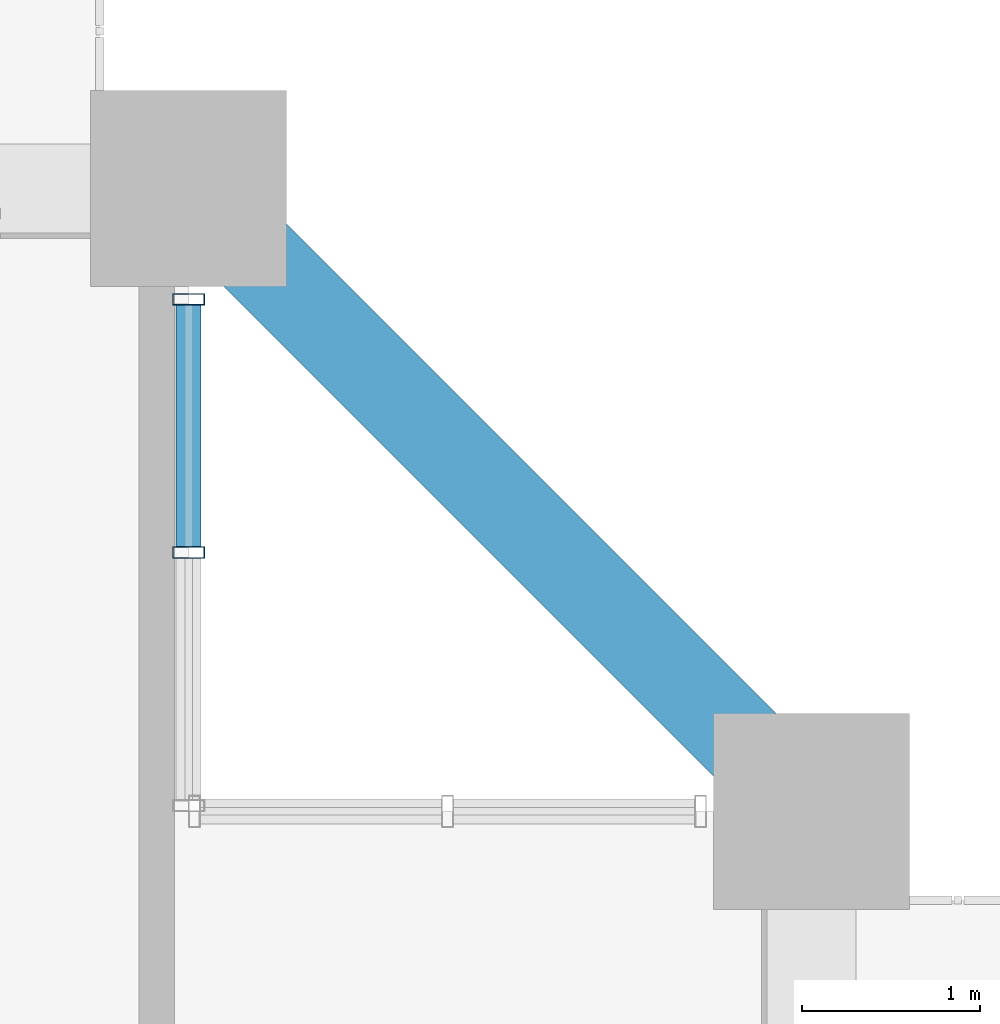
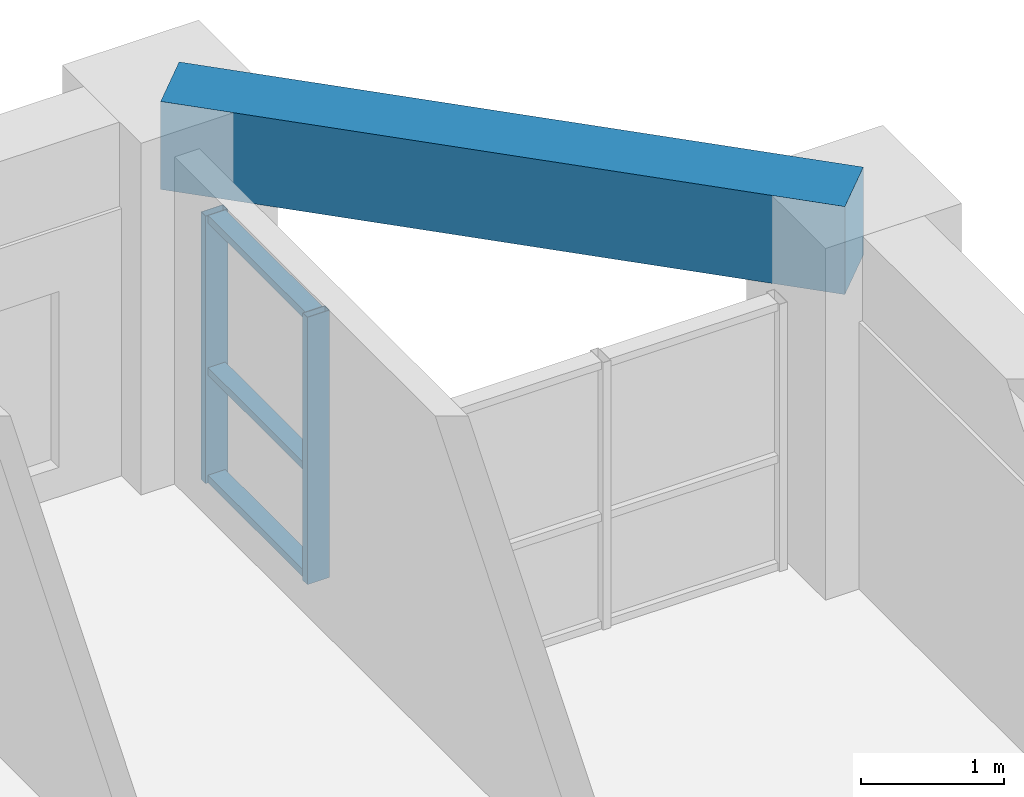
# One storey, part 12 of 28: 5 members, 1 beam, 1 element without a shape of its own.
"""IFC4 building model written with IfcOpenShell, lengths in metres."""

from ifc_helpers import new_model, si_unit, direction, frame, origin, origin_2d, place, context, subcontext, project, spatial, rectangle, hollow_rectangle, extrude, source, transform, mapped, material, layer, layer_set, material_profile, profile_set, type_object, element, aggregate, save


model = new_model("IFC4")

# Units and contexts
model_context = context("Model", 3, precision=1e-05, world=origin(), true_north=direction((0.0, 1.0)))
body_context = subcontext(model_context, "Body", "Model", "MODEL_VIEW")
ifc_project = project(units=[si_unit("LENGTHUNIT", "METRE"), si_unit("AREAUNIT", "SQUARE_METRE"), si_unit("VOLUMEUNIT", "CUBIC_METRE"), si_unit("PLANEANGLEUNIT", "RADIAN"), si_unit("MASSUNIT", "GRAM", prefix="KILO")], contexts=[model_context])

# Site, building, storey
site_placement = place(None, origin())
site = spatial("IfcSite", under=ifc_project, at=site_placement, CompositionType="ELEMENT")
building_placement = place(site_placement, origin())
building = spatial("IfcBuilding", under=site, at=building_placement, Name="Saelheon Loggia Tower", CompositionType="ELEMENT")
storey_placement = place(building_placement, frame((0.0, 0.0, 25.39990234375)))
storey = spatial("IfcBuildingStorey", under=building, at=storey_placement, Name="L07", CompositionType="ELEMENT", Elevation=25.39990234375)

# Beam
ifc_material_1 = material(Name="Concrete C45/55", Category="concrete")
ifc_material_profile_1 = material_profile(ifc_material_1, rectangle(XDim=0.5, YDim=0.75, at=origin_2d()), Name="RC-500x750")
ifc_profile_set_1 = profile_set([ifc_material_profile_1], Name="Concrete C45/55")
beam_type = type_object("IfcBeamType", Name="Beam_PerimGirder_RC500x750", PredefinedType="BEAM", material=ifc_profile_set_1)
shared_shape_1 = source(origin(), body_context, "Body", "SweptSolid", [
    extrude(rectangle(XDim=0.5, YDim=0.75, at=origin_2d()), origin(), (0.0, 0.0, 1.0), 4.94970703125),
])
beam_placement = place(storey_placement, frame((64.0, 47.5, 2.625), z_axis=(-0.707106781187, 0.707106781187, 0.0), x_axis=(-0.707106781187, -0.707106781187, 0.0)))
element("IfcBeam", 1, at=beam_placement, inside=storey, type_object=beam_type, Name="L07 Perimeter Frame Girder 08", PredefinedType="BEAM", context=body_context, shape_type="MappedRepresentation", body=[
    mapped(shared_shape_1, transform((0.0, 0.0, 0.0), scale=1.0)),
])

# Curtain wall, members
ifc_material_2 = material(Name="Thermal-Break Aluminium and Triple Low-E Glass", Category="aluminium")
ifc_layer = layer(ifc_material_2, 0.159912109375)
ifc_layer_set = layer_set([ifc_layer], Name="Thermal-Break Aluminium and Triple Low-E Glass")
curtain_wall_type = type_object("IfcCurtainWallType", Name="CW_TowerLoggiaLow", PredefinedType="NOTDEFINED", material=ifc_layer_set)
curtain_wall_placement = place(storey_placement, origin())
curtain_wall = element("IfcCurtainWall", 2, at=curtain_wall_placement, inside=storey, type_object=curtain_wall_type, Name="L07 Corner Notch Glazing NE1", PredefinedType="NOTDEFINED")
ifc_material_3 = material(Name="Anodised Aluminium 6063-T6", Category="aluminium")
ifc_material_profile_2 = material_profile(ifc_material_3, hollow_rectangle(XDim=0.06494140625, YDim=0.179931640625, WallThickness=0.00390625, at=origin_2d()), Name="RHS-180x65x4")
ifc_profile_set_2 = profile_set([ifc_material_profile_2], Name="Anodised Aluminium 6063-T6")
member_type_1 = type_object("IfcMemberType", Name="CW_TowerLoggiaLow_Mullion", PredefinedType="MULLION", material=ifc_profile_set_2)
shared_shape_2 = source(origin(), body_context, "Body", "SweptSolid", [
    extrude(hollow_rectangle(XDim=0.06494140625, YDim=0.179931640625, WallThickness=0.00390625, at=origin_2d()), origin(), (0.0, 0.0, 1.0), 2.280029296875),
])
member_1_placement = place(storey_placement, frame((60.5, 48.955078125, 0.0), z_axis=(0.0, 0.0, 1.0), x_axis=(0.0, 1.0, 0.0)))
member_1 = element("IfcMember", 3, at=member_1_placement, type_object=member_type_1, Name="CW3 mullion 2", PredefinedType="MULLION", context=body_context, shape_type="MappedRepresentation", body=[
    mapped(shared_shape_2, transform((0.0, 0.0, 0.0), scale=1.0)),
])
member_2_placement = place(storey_placement, frame((60.5, 50.37744140625, 0.0), z_axis=(0.0, 0.0, 1.0), x_axis=(0.0, 1.0, 0.0)))
member_2 = element("IfcMember", 4, at=member_2_placement, type_object=member_type_1, Name="CW3 mullion 3", PredefinedType="MULLION", context=body_context, shape_type="MappedRepresentation", body=[
    mapped(shared_shape_2, transform((0.0, 0.0, 0.0), scale=1.0)),
])
ifc_material_profile_3 = material_profile(ifc_material_3, hollow_rectangle(XDim=0.06494140625, YDim=0.139892578125, WallThickness=0.00390625, at=origin_2d()), Name="RHS-140x65x4")
ifc_profile_set_3 = profile_set([ifc_material_profile_3], Name="Anodised Aluminium 6063-T6")
member_type_2 = type_object("IfcMemberType", Name="CW_TowerLoggiaLow_Transom", PredefinedType="USERDEFINED", material=ifc_profile_set_3)
shared_shape_3 = source(origin(), body_context, "Body", "SweptSolid", [
    extrude(hollow_rectangle(XDim=0.06494140625, YDim=0.139892578125, WallThickness=0.00390625, at=origin_2d()), origin(), (0.0, 0.0, 1.0), 1.357421875),
])
member_3_placement = place(storey_placement, frame((60.5, 48.987548828125, 0.03271484375), z_axis=(0.0, 1.0, 0.0), x_axis=(0.0, 0.0, 1.0)))
member_3 = element("IfcMember", 5, at=member_3_placement, type_object=member_type_2, Name="CW3 transom 2.1", ObjectType="TRANSOM", PredefinedType="USERDEFINED", context=body_context, shape_type="MappedRepresentation", body=[
    mapped(shared_shape_3, transform((0.0, 0.0, 0.0), scale=1.0)),
])
member_4_placement = place(storey_placement, frame((60.5, 48.987548828125, 0.9501953125), z_axis=(0.0, 1.0, 0.0), x_axis=(0.0, 0.0, 1.0)))
member_4 = element("IfcMember", 6, at=member_4_placement, type_object=member_type_2, Name="CW3 transom 2.2", ObjectType="TRANSOM", PredefinedType="USERDEFINED", context=body_context, shape_type="MappedRepresentation", body=[
    mapped(shared_shape_3, transform((0.0, 0.0, 0.0), scale=1.0)),
])
member_5_placement = place(storey_placement, frame((60.5, 48.987548828125, 2.24755859375), z_axis=(0.0, 1.0, 0.0), x_axis=(0.0, 0.0, 1.0)))
member_5 = element("IfcMember", 7, at=member_5_placement, type_object=member_type_2, Name="CW3 transom 2.3", ObjectType="TRANSOM", PredefinedType="USERDEFINED", context=body_context, shape_type="MappedRepresentation", body=[
    mapped(shared_shape_3, transform((0.0, 0.0, 0.0), scale=1.0)),
])
aggregate(curtain_wall, [member_1, member_2, member_3, member_4, member_5])

save(model, "model.ifc")
